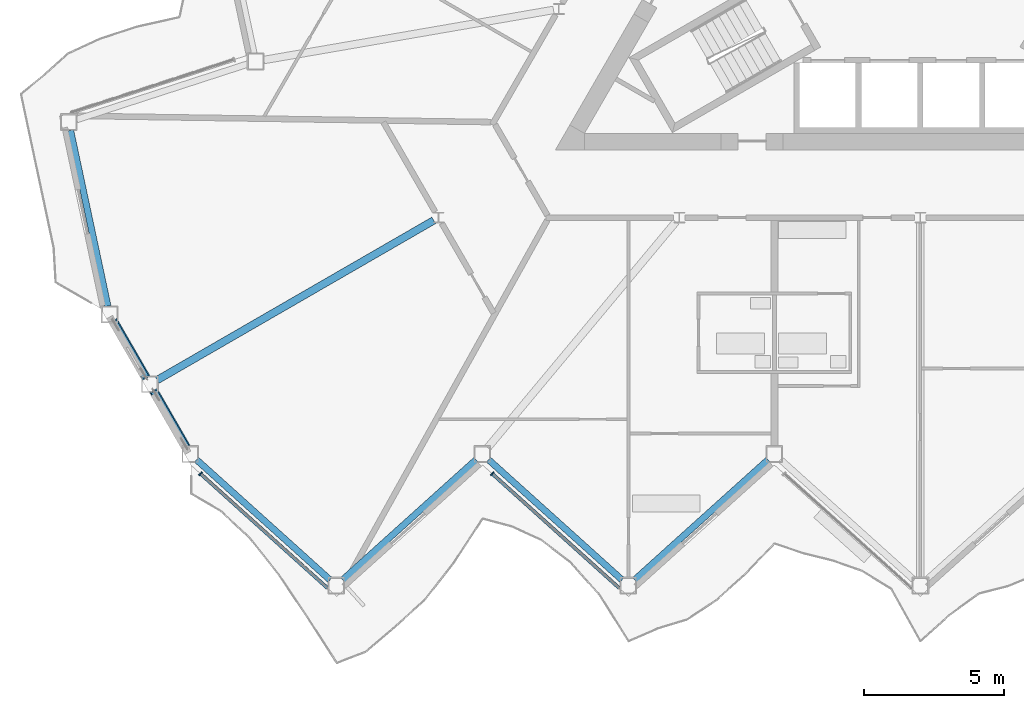
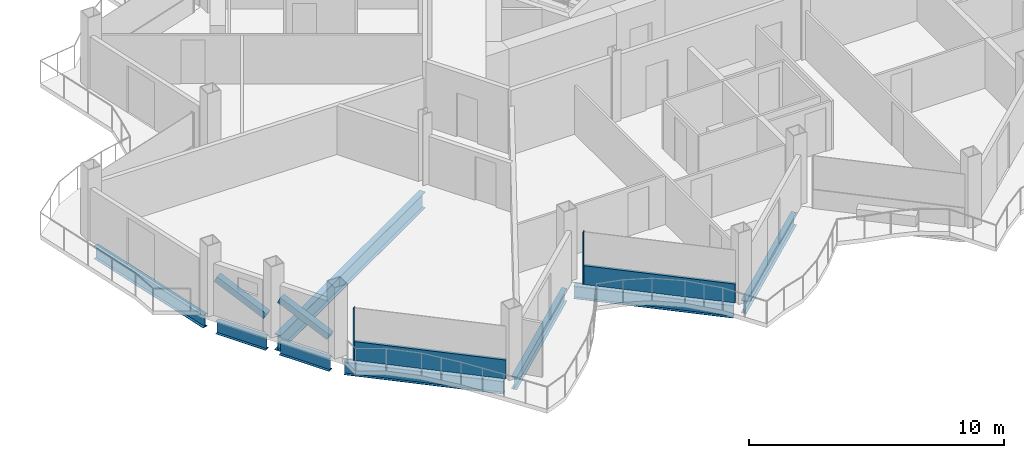
# One storey, part 4 of 26: 8 beams, 6 members, 2 elements without a shape of their own.
"""IFC4 building model written with IfcOpenShell, lengths in metres."""

from ifc_helpers import new_model, si_unit, direction, frame, origin, origin_2d, place, context, subcontext, project, spatial, rectangle, hollow_rectangle, i_section, extrude, material, layer, layer_set, material_profile, profile_set, type_object, element, aggregate, save


model = new_model("IFC4")

# Units and contexts
model_context = context("Model", 3, precision=1e-05, world=origin(), true_north=direction((0.0, 1.0)))
body_context = subcontext(model_context, "Body", "Model", "MODEL_VIEW")
ifc_project = project(units=[si_unit("LENGTHUNIT", "METRE"), si_unit("AREAUNIT", "SQUARE_METRE"), si_unit("VOLUMEUNIT", "CUBIC_METRE"), si_unit("PLANEANGLEUNIT", "RADIAN"), si_unit("MASSUNIT", "GRAM", prefix="KILO")], contexts=[model_context])

# Site, building, storey
site_placement = place(None, origin())
site = spatial("IfcSite", under=ifc_project, at=site_placement, CompositionType="ELEMENT")
building_placement = place(site_placement, origin())
building = spatial("IfcBuilding", under=site, at=building_placement, Name="Cormorant Prow Tower", CompositionType="ELEMENT")
storey_placement = place(building_placement, frame((0.0, 0.0, 325.60009765625)))
storey = spatial("IfcBuildingStorey", under=building, at=storey_placement, Name="L72", CompositionType="ELEMENT", Elevation=325.60009765625)

# Members
ifc_material_1 = material(Name="Structural steel ASTM A500 Gr C", Category="steel")
ifc_material_profile_1 = material_profile(ifc_material_1, hollow_rectangle(XDim=0.3046875, YDim=0.3046875, WallThickness=0.01171875, at=origin_2d()), Name="HSS12x12x1/2")
ifc_profile_set_1 = profile_set([ifc_material_profile_1], Name="Structural steel ASTM A500 Gr C")
member_type_1 = type_object("IfcMemberType", Name="Chamfer brace HSS12x12x1/2", PredefinedType="BRACE", material=ifc_profile_set_1)
for number, where, z_axis, x_axis, name in (
    (1, (-27.589599609375, -15.5654296875, 0.740966796875), (-0.456247183882, 0.790292391402, 0.408994429415), (-0.866038851724, -0.499976706761, 0.0), "Chamfer brace BR3 at WSW00 L72"),
    (2, (-26.15283203125, -18.05419921875, 0.740966796875), (-0.456247183882, 0.790292391402, 0.408994429415), (-0.866038851724, -0.499976706761, 0.0), "Chamfer brace BR3 at WSW01 L72"),
):
    element("IfcMember", number, at=place(storey_placement, frame(where, z_axis=z_axis, x_axis=x_axis)), inside=storey, type_object=member_type_1, Name=name, PredefinedType="BRACE", context=body_context, shape_type="SweptSolid", body=[
        extrude(hollow_rectangle(XDim=0.3046875, YDim=0.3046875, WallThickness=0.01171875, at=origin_2d()), origin(), (0.0, 0.0, 1.0), 2.459228515625),
    ])

# Beam
ifc_material_2 = material(Name="Structural steel ASTM A992 Gr 50", Category="steel")
ifc_material_profile_2 = material_profile(ifc_material_2, i_section(OverallWidth=0.267822265625, OverallDepth=0.77001953125, WebThickness=0.015625, FlangeThickness=0.025390625, at=origin_2d()), Name="W30x132")
ifc_profile_set_2 = profile_set([ifc_material_profile_2], Name="Structural steel ASTM A992 Gr 50")
beam_type_1 = type_object("IfcBeamType", Name="Radial floor beam W30x132", PredefinedType="BEAM", material=ifc_profile_set_2)
beam_1_placement = place(storey_placement, frame((-17.328125, -10.00439453125, -0.68505859375), z_axis=(-0.866024637028, -0.500001328059, 0.0), x_axis=(0.500001328059, -0.866024637028, 0.0)))
element("IfcBeam", 3, at=beam_1_placement, inside=storey, type_object=beam_type_1, Name="Radial floor beam FB3 5 L72", PredefinedType="BEAM", context=body_context, shape_type="SweptSolid", body=[
    extrude(i_section(OverallWidth=0.267822265625, OverallDepth=0.77001953125, WebThickness=0.015625, FlangeThickness=0.025390625, at=origin_2d()), origin(), (0.0, 0.0, 1.0), 11.3671875),
])

# Curtain wall, member
ifc_material_3 = material(Name="Aluminium 6063-T6", Category="aluminium")
ifc_layer = layer(ifc_material_3, 0.159912109375)
ifc_layer_set = layer_set([ifc_layer], Name="Aluminium 6063-T6")
curtain_wall_type = type_object("IfcCurtainWallType", Name="Residential unitised curtain wall 160", PredefinedType="NOTDEFINED", material=ifc_layer_set)
curtain_wall_1_placement = place(storey_placement, origin())
curtain_wall_1 = element("IfcCurtainWall", 4, at=curtain_wall_1_placement, inside=storey, type_object=curtain_wall_type, Name="Residential curtain wall S00", PredefinedType="NOTDEFINED")
ifc_material_4 = material(Name="Aluminium 6063-T6", Category="aluminium")
ifc_material_profile_3 = material_profile(ifc_material_4, rectangle(XDim=0.159912109375, YDim=0.050048828125, at=origin_2d()), Name="Residential mullion 50x160")
ifc_profile_set_3 = profile_set([ifc_material_profile_3], Name="Aluminium 6063-T6")
member_type_2 = type_object("IfcMemberType", Name="Residential mullion 50x160", PredefinedType="MULLION", material=ifc_profile_set_3)
member_1_placement = place(storey_placement, frame((-25.63232421875, -19.025146484375, 0.0), z_axis=(0.0, 0.0, 1.0), x_axis=(0.669130654479, 0.74314478215, 0.0)))
member_1 = element("IfcMember", 5, at=member_1_placement, type_object=member_type_2, Name="Residential mullion S00", PredefinedType="MULLION", context=body_context, shape_type="SweptSolid", body=[
    extrude(rectangle(XDim=0.159912109375, YDim=0.050048828125, at=origin_2d()), origin(), (0.0, 0.0, 1.0), 2.48779296875),
])

curtain_wall_2_placement = place(storey_placement, origin())
curtain_wall_2 = element("IfcCurtainWall", 6, at=curtain_wall_2_placement, inside=storey, type_object=curtain_wall_type, Name="Residential curtain wall S02", PredefinedType="NOTDEFINED")
member_2_placement = place(storey_placement, frame((-15.242919921875, -19.025146484375, 0.0), z_axis=(0.0, 0.0, 1.0), x_axis=(0.669130654479, 0.74314478215, 0.0)))
member_2 = element("IfcMember", 7, at=member_2_placement, type_object=member_type_2, Name="Residential mullion S02", PredefinedType="MULLION", context=body_context, shape_type="SweptSolid", body=[
    extrude(rectangle(XDim=0.159912109375, YDim=0.050048828125, at=origin_2d()), origin(), (0.0, 0.0, 1.0), 2.48779296875),
])

# Member
ifc_material_5 = material(Name="Terracotta", Category="masonry")
ifc_material_profile_4 = material_profile(ifc_material_5, rectangle(XDim=0.1201171875, YDim=0.89990234375, at=origin_2d()), Name="Residential terracotta spandrel rail 120x900")
ifc_profile_set_4 = profile_set([ifc_material_profile_4], Name="Terracotta")
member_type_3 = type_object("IfcMemberType", Name="Residential terracotta spandrel rail 120x900", PredefinedType="USERDEFINED", material=ifc_profile_set_4)
member_3_placement = place(storey_placement, frame((-25.61376953125, -19.0419921875, 0.449951171875), z_axis=(0.74314818338, -0.669126877012, 0.0), x_axis=(0.669126877012, 0.74314818338, 0.0)))
member_3 = element("IfcMember", 8, at=member_3_placement, type_object=member_type_3, Name="Residential spandrel rail S00", ObjectType="TRANSOM", PredefinedType="USERDEFINED", context=body_context, shape_type="SweptSolid", body=[
    extrude(rectangle(XDim=0.1201171875, YDim=0.89990234375, at=origin_2d()), origin(), (0.0, 0.0, 1.0), 6.072021484375),
])

aggregate(curtain_wall_1, [member_1, member_3])

member_4_placement = place(storey_placement, frame((-15.224365234375, -19.0419921875, 0.449951171875), z_axis=(0.74314818338, -0.669126877012, 0.0), x_axis=(0.669126877012, 0.74314818338, 0.0)))
member_4 = element("IfcMember", 9, at=member_4_placement, type_object=member_type_3, Name="Residential spandrel rail S02", ObjectType="TRANSOM", PredefinedType="USERDEFINED", context=body_context, shape_type="SweptSolid", body=[
    extrude(rectangle(XDim=0.1201171875, YDim=0.89990234375, at=origin_2d()), origin(), (0.0, 0.0, 1.0), 6.072021484375),
])

aggregate(curtain_wall_2, [member_2, member_4])

# Beams
ifc_material_6 = material(Name="Structural steel ASTM A992 Gr 50", Category="steel")
ifc_material_profile_5 = material_profile(ifc_material_6, i_section(OverallWidth=0.22900390625, OverallDepth=0.612060546875, WebThickness=0.011962890625, FlangeThickness=0.01953125, at=origin_2d()), Name="W24x84")
ifc_profile_set_5 = profile_set([ifc_material_profile_5], Name="Structural steel ASTM A992 Gr 50")
beam_type_2 = type_object("IfcBeamType", Name="Spandrel beam W24x84", PredefinedType="SPANDREL", material=ifc_profile_set_5)
beam_2_placement = place(storey_placement, frame((-25.7724609375, -18.527587890625, -0.606201171875), z_axis=(0.743144186555, -0.669131315954, 0.0), x_axis=(0.669131315954, 0.743144186555, 0.0)))
element("IfcBeam", 10, at=beam_2_placement, inside=storey, type_object=beam_type_2, Name="Spandrel beam SB3 S00-S01 L72", PredefinedType="SPANDREL", context=body_context, shape_type="SweptSolid", body=[
    extrude(i_section(OverallWidth=0.22900390625, OverallDepth=0.612060546875, WebThickness=0.011962890625, FlangeThickness=0.01953125, at=origin_2d()), origin(), (0.0, 0.0, 1.0), 6.39599609375),
])
beam_3_placement = place(storey_placement, frame((-20.573486328125, -22.807373046875, -0.606201171875), z_axis=(0.743161276225, 0.669112335502, 0.0), x_axis=(-0.669112335502, 0.743161276225, 0.0)))
element("IfcBeam", 11, at=beam_3_placement, inside=storey, type_object=beam_type_2, Name="Spandrel beam SB3 S01-S02 L72", PredefinedType="SPANDREL", context=body_context, shape_type="SweptSolid", body=[
    extrude(i_section(OverallWidth=0.22900390625, OverallDepth=0.612060546875, WebThickness=0.011962890625, FlangeThickness=0.01953125, at=origin_2d()), origin(), (0.0, 0.0, 1.0), 6.396240234375),
])
for number, where, z_axis, x_axis, name in (
    (12, (-15.374267578125, -18.527587890625, -0.606201171875), (0.743144186555, -0.669131315954, 0.0), (0.669131315954, 0.743144186555, 0.0), "Spandrel beam SB3 S02-S03 L72"),
    (13, (-10.17529296875, -22.807373046875, -0.606201171875), (0.743144186555, 0.669131315954, 0.0), (-0.669131315954, 0.743144186555, 0.0), "Spandrel beam SB3 S03-S04 L72"),
):
    element("IfcBeam", number, at=place(storey_placement, frame(where, z_axis=z_axis, x_axis=x_axis)), inside=storey, type_object=beam_type_2, Name=name, PredefinedType="SPANDREL", context=body_context, shape_type="SweptSolid", body=[
        extrude(i_section(OverallWidth=0.22900390625, OverallDepth=0.612060546875, WebThickness=0.011962890625, FlangeThickness=0.01953125, at=origin_2d()), origin(), (0.0, 0.0, 1.0), 6.39599609375),
    ])
beam_4_placement = place(storey_placement, frame((-30.261474609375, -6.799560546875, -0.606201171875), z_axis=(0.20791262393, -0.978147402394, 0.0), x_axis=(0.978147402394, 0.20791262393, 0.0)))
element("IfcBeam", 14, at=beam_4_placement, inside=storey, type_object=beam_type_2, Name="Spandrel beam SB3 WNW09-WSW00 L72", PredefinedType="SPANDREL", context=body_context, shape_type="SweptSolid", body=[
    extrude(i_section(OverallWidth=0.22900390625, OverallDepth=0.612060546875, WebThickness=0.011962890625, FlangeThickness=0.01953125, at=origin_2d()), origin(), (0.0, 0.0, 1.0), 6.396240234375),
])
beam_5_placement = place(storey_placement, frame((-28.71923828125, -13.609130859375, -0.606201171875), z_axis=(0.500053962254, -0.865994246421, 0.0), x_axis=(0.865994246421, 0.500053962254, 0.0)))
element("IfcBeam", 15, at=beam_5_placement, inside=storey, type_object=beam_type_2, Name="Spandrel beam SB3 WSW00-WSW01 L72", PredefinedType="SPANDREL", context=body_context, shape_type="SweptSolid", body=[
    extrude(i_section(OverallWidth=0.22900390625, OverallDepth=0.612060546875, WebThickness=0.011962890625, FlangeThickness=0.01953125, at=origin_2d()), origin(), (0.0, 0.0, 1.0), 2.273681640625),
])
beam_6_placement = place(storey_placement, frame((-27.2822265625, -16.097900390625, -0.606201171875), z_axis=(0.49997342893, -0.866040744055, 0.0), x_axis=(0.866040744055, 0.49997342893, 0.0)))
element("IfcBeam", 16, at=beam_6_placement, inside=storey, type_object=beam_type_2, Name="Spandrel beam SB3 WSW01-S00 L72", PredefinedType="SPANDREL", context=body_context, shape_type="SweptSolid", body=[
    extrude(i_section(OverallWidth=0.22900390625, OverallDepth=0.612060546875, WebThickness=0.011962890625, FlangeThickness=0.01953125, at=origin_2d()), origin(), (0.0, 0.0, 1.0), 2.2734375),
])

save(model, "model.ifc")
